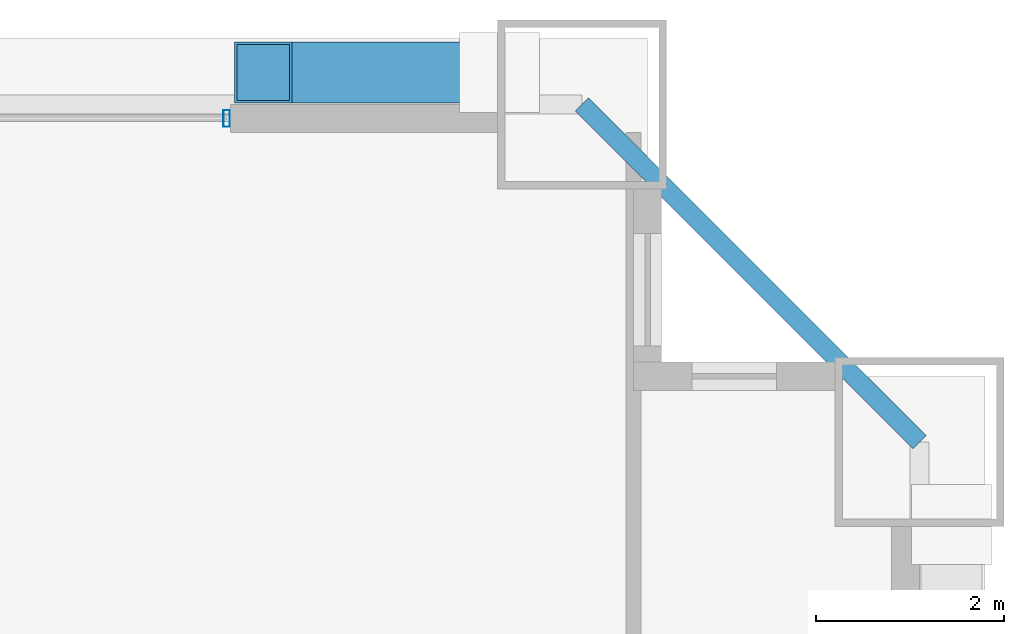
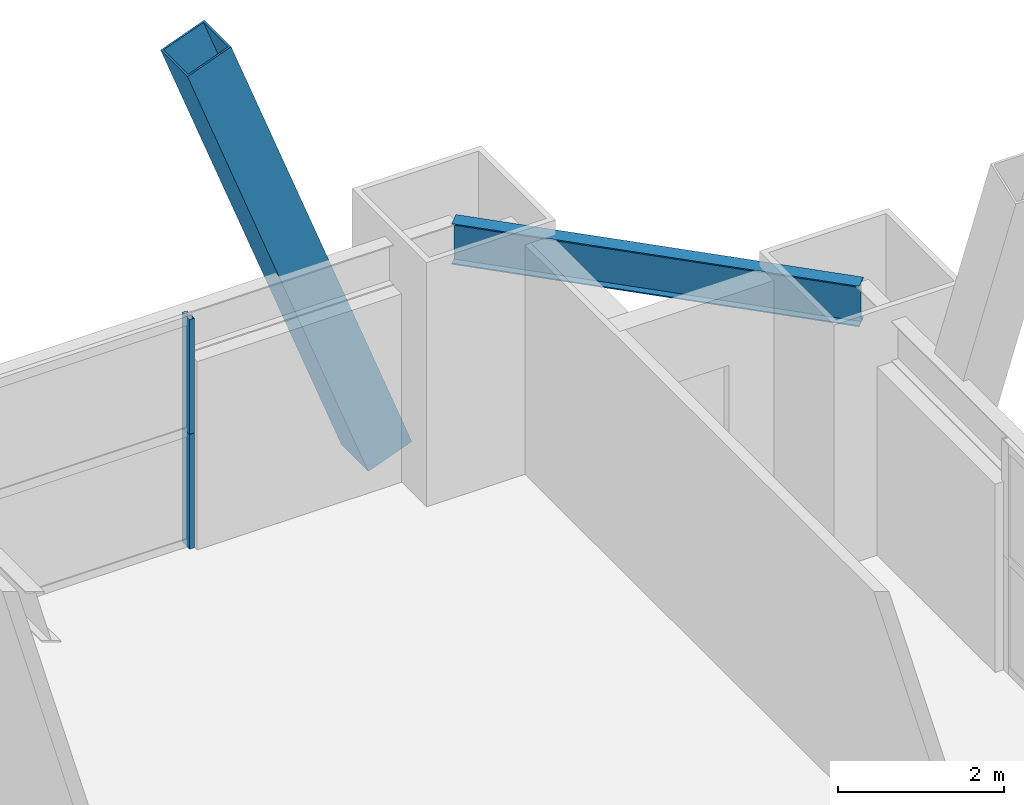
# One storey, part 37 of 43: 3 members, 1 beam, 1 element without a shape of its own.
"""IFC4 building model written with IfcOpenShell, lengths in metres."""

from ifc_helpers import new_model, si_unit, direction, frame, origin, origin_2d, place, context, subcontext, project, spatial, hollow_rectangle, i_section, extrude, source, transform, mapped, material, layer, layer_set, material_profile, profile_set, type_object, element, aggregate, save


model = new_model("IFC4")

# Units and contexts
model_context = context("Model", 3, precision=1e-05, world=origin(), true_north=direction((0.0, 1.0)))
body_context = subcontext(model_context, "Body", "Model", "MODEL_VIEW")
ifc_project = project(units=[si_unit("LENGTHUNIT", "METRE"), si_unit("AREAUNIT", "SQUARE_METRE"), si_unit("VOLUMEUNIT", "CUBIC_METRE"), si_unit("PLANEANGLEUNIT", "RADIAN"), si_unit("MASSUNIT", "GRAM", prefix="KILO"), si_unit("THERMODYNAMICTEMPERATUREUNIT", "KELVIN"), si_unit("POWERUNIT", "WATT")], contexts=[model_context])

# Site, building, storey
site_placement = place(None, origin())
site = spatial("IfcSite", under=ifc_project, at=site_placement, CompositionType="ELEMENT")
building_placement = place(site_placement, origin())
building = spatial("IfcBuilding", under=site, at=building_placement, Name="Yuzanri Waterfront Tower", CompositionType="ELEMENT")
storey_placement = place(building_placement, frame((0.0, 0.0, 67.60009765625)))
storey = spatial("IfcBuildingStorey", under=building, at=storey_placement, Name="L17", CompositionType="ELEMENT", Elevation=67.60009765625)

# Beam
ifc_material_1 = material(Name="Steel Q355B", Category="steel")
ifc_material_profile_1 = material_profile(ifc_material_1, i_section(OverallWidth=0.199951171875, OverallDepth=0.60009765625, WebThickness=0.010986328125, FlangeThickness=0.01708984375, at=origin_2d()), Name="HN 600x200x11x17")
ifc_profile_set_1 = profile_set([ifc_material_profile_1], Name="Steel Q355B")
beam_type = type_object("IfcBeamType", Name="Perimeter Spandrel Q355B HN 600x200", PredefinedType="SPANDREL", material=ifc_profile_set_1)
shared_shape_1 = source(origin(), body_context, "Body", "SweptSolid", [
    extrude(i_section(OverallWidth=0.199951171875, OverallDepth=0.60009765625, WebThickness=0.010986328125, FlangeThickness=0.01708984375, at=origin_2d()), origin(), (0.0, 0.0, 1.0), 5.091064453125),
])
beam_placement = place(storey_placement, frame((62.10009765625, 47.300048828125, 3.079833984375), z_axis=(-0.707130757816, 0.707082803744, 0.0), x_axis=(-0.707082803744, -0.707130757816, 0.0)))
element("IfcBeam", 1, at=beam_placement, inside=storey, type_object=beam_type, Name="L17 Perimeter Spandrel E3-N3", PredefinedType="SPANDREL", context=body_context, shape_type="MappedRepresentation", body=[
    mapped(shared_shape_1, transform((0.0, 0.0, 0.0), scale=1.0)),
])

# Member
ifc_material_2 = material(Name="Steel Q420GJC", Category="steel")
ifc_material_profile_2 = material_profile(ifc_material_2, hollow_rectangle(XDim=0.64990234375, YDim=0.64990234375, WallThickness=0.028076171875, at=origin_2d()), Name="RHS 650x650x28")
ifc_profile_set_2 = profile_set([ifc_material_profile_2], Name="Steel Q420GJC")
member_type_1 = type_object("IfcMemberType", Name="Mega Brace Lower Q420GJC RHS 650x650x28", PredefinedType="BRACE", material=ifc_profile_set_2)
shared_shape_2 = source(origin(), body_context, "Body", "SweptSolid", [
    extrude(hollow_rectangle(XDim=0.64990234375, YDim=0.64990234375, WallThickness=0.028076171875, at=origin_2d()), origin(), (0.0, 0.0, 1.0), 7.158203125),
])
member_1_placement = place(storey_placement, frame((57.6201171875, 51.239990234375, 0.179931640625), z_axis=(-0.352046480343, 0.0, 0.935982518896), x_axis=(0.0, -1.0, 0.0)))
element("IfcMember", 2, at=member_1_placement, inside=storey, type_object=member_type_1, Name="L17-L18 Perimeter Mega-Brace N-R", PredefinedType="BRACE", context=body_context, shape_type="MappedRepresentation", body=[
    mapped(shared_shape_2, transform((0.0, 0.0, 0.0), scale=1.0)),
])

# Curtain wall, members
ifc_material_3 = material(Name="Anodized Architectural Bronze", Category="metal")
ifc_layer = layer(ifc_material_3, 0.159912109375)
ifc_layer_set = layer_set([ifc_layer], Name="Anodized Architectural Bronze")
curtain_wall_type = type_object("IfcCurtainWallType", Name="Anodized Bronze Hotel Lower-Tier Recessed Unitized Curtain Wall 8100", PredefinedType="NOTDEFINED", material=ifc_layer_set)
curtain_wall_placement = place(storey_placement, origin())
curtain_wall = element("IfcCurtainWall", 3, at=curtain_wall_placement, inside=storey, type_object=curtain_wall_type, Name="L17 Curtain Wall CW-L17-NR", PredefinedType="NOTDEFINED")
ifc_material_4 = material(Name="Anodized Architectural Bronze", Category="metal")
ifc_material_profile_3 = material_profile(ifc_material_4, hollow_rectangle(XDim=0.070068359375, YDim=0.179931640625, WallThickness=0.00390625, at=origin_2d()), Name="CWM 70x180")
ifc_profile_set_3 = profile_set([ifc_material_profile_3], Name="Anodized Architectural Bronze")
member_type_2 = type_object("IfcMemberType", Name="Anodized Bronze Standard Curtain-Wall Mullion 70x180", PredefinedType="MULLION", material=ifc_profile_set_3)
shared_shape_3 = source(origin(), body_context, "Body", "SweptSolid", [
    extrude(hollow_rectangle(XDim=0.070068359375, YDim=0.179931640625, WallThickness=0.00390625, at=origin_2d()), origin(), (0.0, 0.0, 1.0), 1.68798828125),
])
member_2_placement = place(storey_placement, frame((54.7099609375, 50.75, 0.0), z_axis=(0.0, 0.0, 1.0), x_axis=(1.0, 0.0, 0.0)))
member_2 = element("IfcMember", 4, at=member_2_placement, type_object=member_type_2, Name="CW-L17-NR Lower Mullion 02", PredefinedType="MULLION", context=body_context, shape_type="MappedRepresentation", body=[
    mapped(shared_shape_3, transform((0.0, 0.0, 0.0), scale=1.0)),
])
member_3_placement = place(storey_placement, frame((54.7099609375, 50.75, 1.69189453125), z_axis=(0.0, 0.0, 1.0), x_axis=(1.0, 0.0, 0.0)))
member_3 = element("IfcMember", 5, at=member_3_placement, type_object=member_type_2, Name="CW-L17-NR Upper Mullion 02", PredefinedType="MULLION", context=body_context, shape_type="MappedRepresentation", body=[
    mapped(shared_shape_3, transform((0.0, 0.0, 0.0), scale=1.0)),
])
aggregate(curtain_wall, [member_2, member_3])

save(model, "model.ifc")
